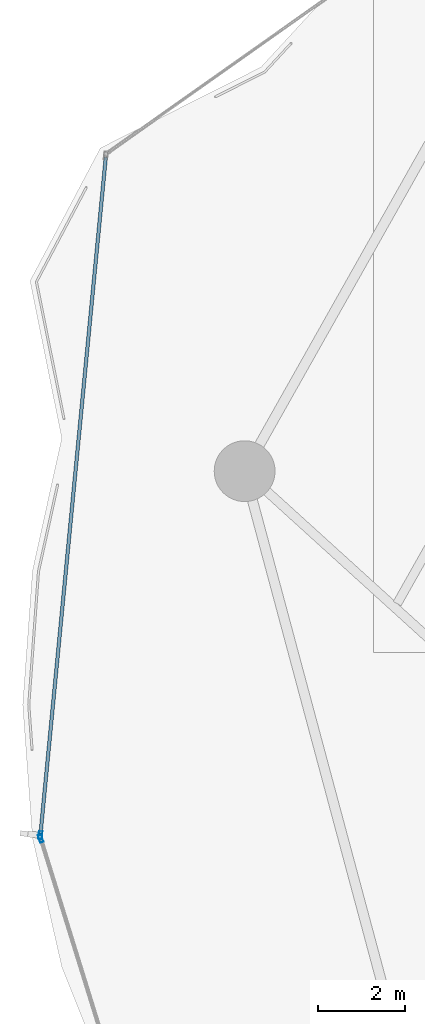
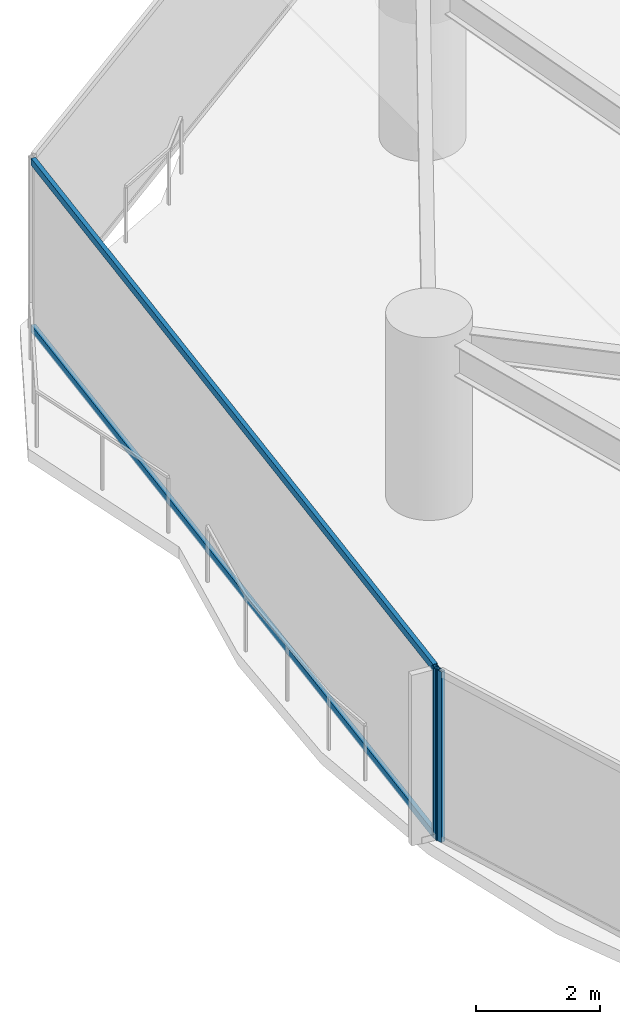
# One storey, part 8 of 32: 4 members, 2 elements without a shape of their own.
"""IFC4 building model written with IfcOpenShell, lengths in metres."""

from ifc_helpers import new_model, si_unit, direction, frame, origin, origin_2d, place, context, subcontext, project, spatial, hollow_rectangle, extrude, material, layer, layer_set, material_profile, profile_set, type_object, element, aggregate, save


model = new_model("IFC4")

# Units and contexts
model_context = context("Model", 3, precision=1e-05, world=origin(), true_north=direction((0.0, 1.0)))
body_context = subcontext(model_context, "Body", "Model", "MODEL_VIEW")
ifc_project = project(units=[si_unit("LENGTHUNIT", "METRE"), si_unit("AREAUNIT", "SQUARE_METRE"), si_unit("VOLUMEUNIT", "CUBIC_METRE"), si_unit("PLANEANGLEUNIT", "RADIAN"), si_unit("MASSUNIT", "GRAM", prefix="KILO")], contexts=[model_context])

# Site, building, storey
site_placement = place(None, origin())
site = spatial("IfcSite", under=ifc_project, at=site_placement, CompositionType="ELEMENT")
building_placement = place(site_placement, origin())
building = spatial("IfcBuilding", under=site, at=building_placement, Name="Kazevale Care Tower and Concert Hall", CompositionType="ELEMENT")
storey_placement = place(building_placement, frame((0.0, 0.0, 34.800048828125)))
storey = spatial("IfcBuildingStorey", under=building, at=storey_placement, Name="L08", CompositionType="ELEMENT", Elevation=34.800048828125)

# Curtain wall, member
ifc_material_1 = material(Name="Aluminium 6063-T6 and Low-E Glass", Category="aluminium")
ifc_layer = layer(ifc_material_1, 0.179931640625)
ifc_layer_set = layer_set([ifc_layer], Name="Aluminium 6063-T6 and Low-E Glass")
curtain_wall_type = type_object("IfcCurtainWallType", Name="Waist & Upper Residential Curtain Wall CW-4", PredefinedType="NOTDEFINED", material=ifc_layer_set)
curtain_wall_1_placement = place(storey_placement, origin())
curtain_wall_1 = element("IfcCurtainWall", 1, at=curtain_wall_1_placement, inside=storey, type_object=curtain_wall_type, Name="cw:L08:f12", PredefinedType="NOTDEFINED")
ifc_material_2 = material(Name="Aluminium 6063-T6", Category="aluminium")
ifc_material_profile_1 = material_profile(ifc_material_2, hollow_rectangle(XDim=0.080078125, YDim=0.179931640625, WallThickness=0.0048828125, at=origin_2d()), Name="ALU80x180x5")
ifc_profile_set_1 = profile_set([ifc_material_profile_1], Name="Aluminium 6063-T6")
member_type_1 = type_object("IfcMemberType", Name="CW-4 Mullion ALU80x180x5", PredefinedType="MULLION", material=ifc_profile_set_1)
member_1_placement = place(storey_placement, frame((9.61572265625, 34.919677734375, 0.0), z_axis=(0.0, 0.0, 1.0), x_axis=(-0.955157326175, -0.296098771112, 0.0)))
member_1 = element("IfcMember", 2, at=member_1_placement, type_object=member_type_1, Name="CW-4 mullion 2", PredefinedType="MULLION", context=body_context, shape_type="SweptSolid", body=[
    extrude(hollow_rectangle(XDim=0.080078125, YDim=0.179931640625, WallThickness=0.0048828125, at=origin_2d()), origin(), (0.0, 0.0, 1.0), 3.35986328125),
])
aggregate(curtain_wall_1, [member_1])

# Curtain wall, members
curtain_wall_2_placement = place(storey_placement, origin())
curtain_wall_2 = element("IfcCurtainWall", 3, at=curtain_wall_2_placement, inside=storey, type_object=curtain_wall_type, Name="cw:L08:f13", PredefinedType="NOTDEFINED")
member_2_placement = place(storey_placement, frame((9.60791015625, 34.997802734375, 0.0), z_axis=(0.0, 0.0, 1.0), x_axis=(-0.995380693067, 0.096006644923, 0.0)))
member_2 = element("IfcMember", 4, at=member_2_placement, type_object=member_type_1, Name="CW-4 mullion 1", PredefinedType="MULLION", context=body_context, shape_type="SweptSolid", body=[
    extrude(hollow_rectangle(XDim=0.080078125, YDim=0.179931640625, WallThickness=0.0048828125, at=origin_2d()), origin(), (0.0, 0.0, 1.0), 3.35986328125),
])
ifc_material_profile_2 = material_profile(ifc_material_2, hollow_rectangle(XDim=0.080078125, YDim=0.139892578125, WallThickness=0.00390625, at=origin_2d()), Name="ALU80x140x4")
ifc_profile_set_2 = profile_set([ifc_material_profile_2], Name="Aluminium 6063-T6")
member_type_2 = type_object("IfcMemberType", Name="CW-4 Transom ALU80x140x4", PredefinedType="USERDEFINED", material=ifc_profile_set_2)
member_3_placement = place(storey_placement, frame((9.611572265625, 35.03759765625, 0.0400390625), z_axis=(0.096010418756, 0.995380329065, 0.0), x_axis=(-0.995380329065, 0.096010418756, 0.0)))
member_3 = element("IfcMember", 5, at=member_3_placement, type_object=member_type_2, Name="CW-4 transom 1.1", ObjectType="TRANSOM", PredefinedType="USERDEFINED", context=body_context, shape_type="SweptSolid", body=[
    extrude(hollow_rectangle(XDim=0.080078125, YDim=0.139892578125, WallThickness=0.00390625, at=origin_2d()), origin(), (0.0, 0.0, 1.0), 15.64111328125),
])
member_4_placement = place(storey_placement, frame((9.611572265625, 35.03759765625, 3.320068359375), z_axis=(0.096010418756, 0.995380329065, 0.0), x_axis=(-0.995380329065, 0.096010418756, 0.0)))
member_4 = element("IfcMember", 6, at=member_4_placement, type_object=member_type_2, Name="CW-4 transom 1.2", ObjectType="TRANSOM", PredefinedType="USERDEFINED", context=body_context, shape_type="SweptSolid", body=[
    extrude(hollow_rectangle(XDim=0.080078125, YDim=0.139892578125, WallThickness=0.00390625, at=origin_2d()), origin(), (0.0, 0.0, 1.0), 15.64111328125),
])
aggregate(curtain_wall_2, [member_2, member_3, member_4])

save(model, "model.ifc")
